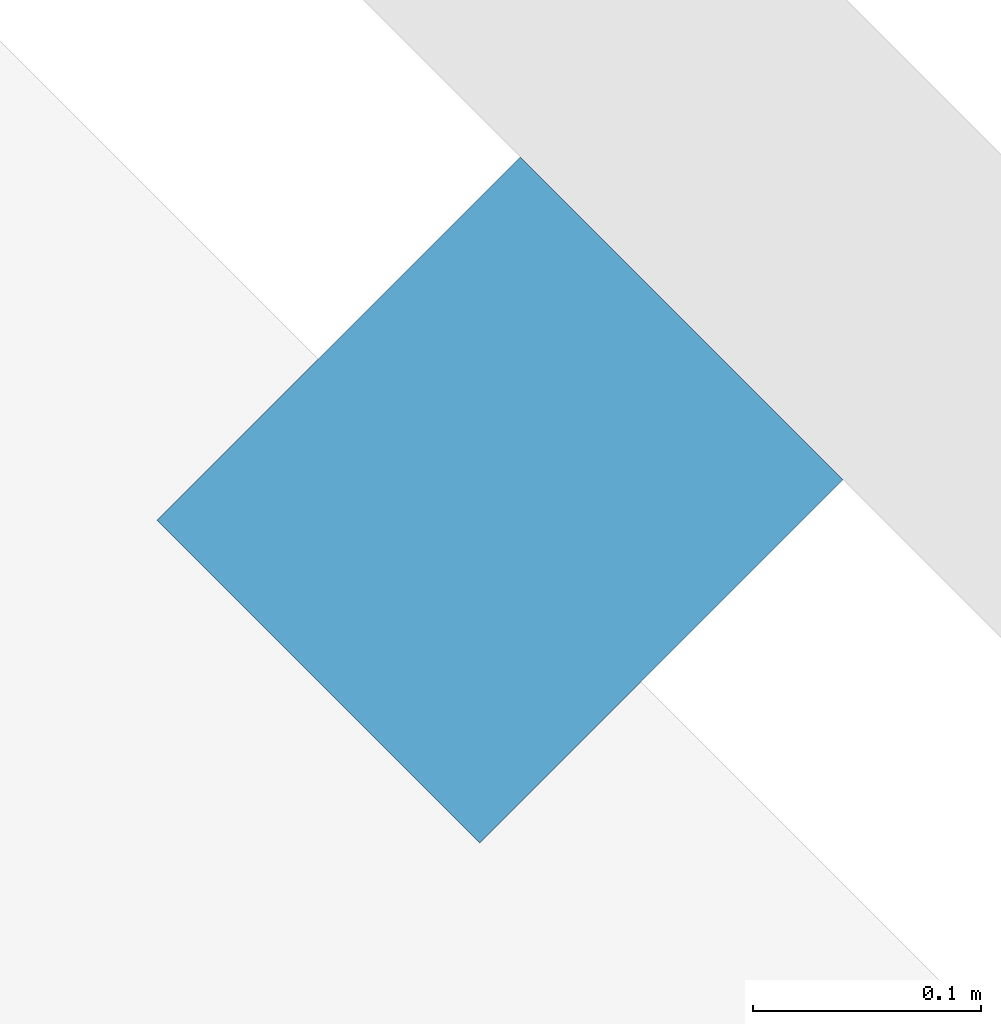
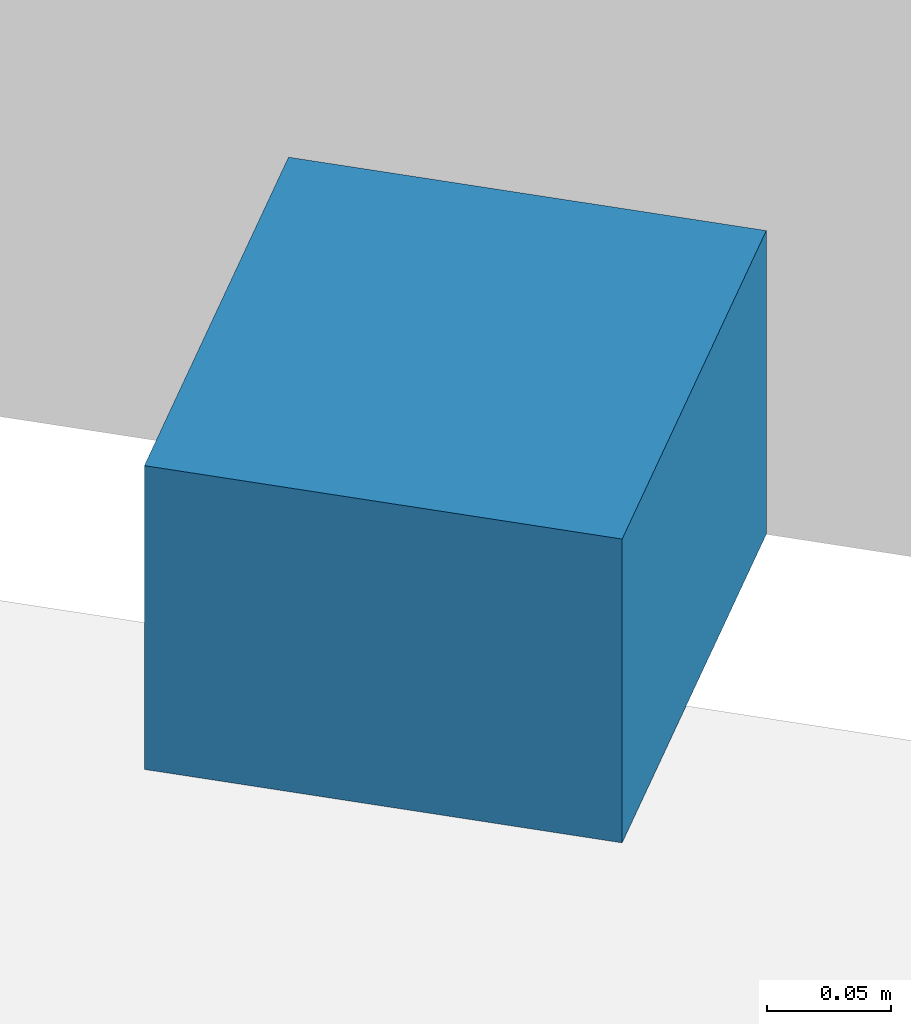
# One storey, part 7 of 10: 1 discrete accessory.
"""IFC4 building model written with IfcOpenShell, lengths in metres."""

import ifcopenshell
import ifcopenshell.guid

model = None  # the IFC model being written
_history = None  # IfcOwnerHistory: only IFC2X3 demands one
_inside = {}  # id of a spatial element -> (the spatial element, [elements in it])
_under = {}  # id of a project, library or spatial element -> (it, [spatial elements below it])
_declared = {}  # id of a project -> (the project, [libraries it declares])
_typed = {}  # id of a type object -> (the type object, [elements of that type])
_made_of = {}  # id of a material, layer set ... -> (it, [elements and type objects made of it])


def new_model(schema):
    """Start an empty IFC model of exactly this schema.

    Asked for "IFC4X3", IfcOpenShell would pick the latest addendum, in which some entities
    have other attributes; the version numbers below select the first issue.
    IFC2X3 requires an IfcOwnerHistory on every rooted entity: one is made here for all.
    """
    global model, _history
    if schema == "IFC4X3":
        model = ifcopenshell.file(schema_version=(4, 3, 0, 0))
    else:
        model = ifcopenshell.file(schema=schema)
    _inside.clear()
    _under.clear()
    _declared.clear()
    _typed.clear()
    _made_of.clear()
    _history = None
    if model.schema == "IFC2X3":
        org = make("IfcOrganization", Name="unknown")
        user = make(
            "IfcPersonAndOrganization",
            ThePerson=make("IfcPerson", FamilyName="unknown"),
            TheOrganization=org,
        )
        app = make(
            "IfcApplication",
            ApplicationDeveloper=org,
            Version="unknown",
            ApplicationFullName="unknown",
            ApplicationIdentifier="unknown",
        )
        _history = make(
            "IfcOwnerHistory",
            OwningUser=user,
            OwningApplication=app,
            ChangeAction="ADDED",
            CreationDate=0,
        )
    return model


def make(cls, **values):
    """One entity of the class cls with the attributes given. An attribute that is None is left unset."""
    return model.create_entity(
        cls, **{name: value for name, value in values.items() if value is not None}
    )


def rooted(cls, **values):
    """An entity with a GlobalId (a new one), such as an element, a storey or a relation."""
    return make(cls, GlobalId=ifcopenshell.guid.new(), OwnerHistory=_history, **values)


def si_unit(unit_type, name, prefix=None):
    """IfcSIUnit, for example si_unit("LENGTHUNIT", "METRE", prefix="MILLI")."""
    return make("IfcSIUnit", UnitType=unit_type, Prefix=prefix, Name=name)


def assignment(units):
    """IfcUnitAssignment: the units of a project."""
    return None if units is None else make("IfcUnitAssignment", Units=units)


def point(xyz):
    """IfcCartesianPoint."""
    return None if xyz is None else make("IfcCartesianPoint", Coordinates=xyz)


def direction(xyz):
    """IfcDirection."""
    return None if xyz is None else make("IfcDirection", DirectionRatios=xyz)


def frame(location, z_axis=None, x_axis=None):
    """IfcAxis2Placement3D, a coordinate frame: its origin and axes. An axis left out is left unset."""
    return make(
        "IfcAxis2Placement3D",
        Location=point(location),
        Axis=direction(z_axis),
        RefDirection=direction(x_axis),
    )


def frame_2d(location, x_axis=None):
    """IfcAxis2Placement2D, a coordinate frame in the plane: its origin and x axis."""
    return make(
        "IfcAxis2Placement2D", Location=point(location), RefDirection=direction(x_axis)
    )


def origin():
    """The frame at (0, 0, 0) with its axes left unset."""
    return frame((0.0, 0.0, 0.0))


def origin_2d():
    """The frame at (0, 0) in the plane with its x axis left unset."""
    return frame_2d((0.0, 0.0))


def place(relative_to, where):
    """IfcLocalPlacement: puts the frame where relative to a parent placement (None: the world)."""
    return make(
        "IfcLocalPlacement", PlacementRelTo=relative_to, RelativePlacement=where
    )


def context(
    kind, dimensions, precision=None, world=None, true_north=None, identifier=None
):
    """IfcGeometricRepresentationContext, for example the 3D "Model" context."""
    return make(
        "IfcGeometricRepresentationContext",
        ContextIdentifier=identifier,
        ContextType=kind,
        CoordinateSpaceDimension=dimensions,
        Precision=precision,
        WorldCoordinateSystem=world,
        TrueNorth=true_north,
    )


def subcontext(parent, identifier, kind, view, scale=None):
    """IfcGeometricRepresentationSubContext, for example "Body" below "Model"."""
    return make(
        "IfcGeometricRepresentationSubContext",
        ContextIdentifier=identifier,
        ContextType=kind,
        ParentContext=parent,
        TargetScale=scale,
        TargetView=view,
    )


def project(units=None, contexts=None):
    """IfcProject with its units and contexts."""
    return rooted(
        "IfcProject",
        Name="project",
        RepresentationContexts=contexts,
        UnitsInContext=assignment(units),
    )


def spatial(cls, under=None, at=None, **own):
    """A site, building, storey or space (cls), placed at a placement, below another one or the project."""
    s = rooted(cls, ObjectPlacement=at, **own)
    if under is not None:
        _under.setdefault(under.id(), (under, []))[1].append(s)
    return s


def profile(cls, at=None, kind="AREA", **sizes):
    """A parametric profile (cls). Its sizes go by their IFC names, for example OverallWidth=200.0."""
    return make(cls, ProfileType=kind, Position=at, **sizes)


def rectangle(**sizes):
    """IfcRectangleProfileDef."""
    return profile("IfcRectangleProfileDef", **sizes)


def extrude(swept, where, along, depth):
    """IfcExtrudedAreaSolid: the profile swept, set in the frame where, extruded along a direction by depth."""
    return make(
        "IfcExtrudedAreaSolid",
        SweptArea=swept,
        Position=where,
        ExtrudedDirection=direction(along),
        Depth=depth,
    )


def shape(context_of_items, identifier, shape_type, items):
    """IfcShapeRepresentation: the items that make up one representation, for example the "Body"."""
    return make(
        "IfcShapeRepresentation",
        ContextOfItems=context_of_items,
        RepresentationIdentifier=identifier,
        RepresentationType=shape_type,
        Items=items,
    )


def source(mapping_origin, context_of_items, identifier, shape_type, items):
    """IfcRepresentationMap: a shape defined once, which mapped items show again and again."""
    return make(
        "IfcRepresentationMap",
        MappingOrigin=mapping_origin,
        MappedRepresentation=shape(context_of_items, identifier, shape_type, items),
    )


def transform(
    local_origin,
    x_axis=None,
    y_axis=None,
    z_axis=None,
    scale=None,
    scale2=None,
    scale3=None,
    uniform=True,
):
    """IfcCartesianTransformationOperator3D, or its non-uniform kind. x_axis, y_axis, z_axis: its Axis1, 2, 3."""
    if uniform:
        return make(
            "IfcCartesianTransformationOperator3D",
            Axis1=direction(x_axis),
            Axis2=direction(y_axis),
            LocalOrigin=point(local_origin),
            Scale=scale,
            Axis3=direction(z_axis),
        )
    return make(
        "IfcCartesianTransformationOperator3DnonUniform",
        Axis1=direction(x_axis),
        Axis2=direction(y_axis),
        LocalOrigin=point(local_origin),
        Scale=scale,
        Axis3=direction(z_axis),
        Scale2=scale2,
        Scale3=scale3,
    )


def mapped(mapping_source, mapping_target):
    """IfcMappedItem: shows the shape of a source again, moved by a transform."""
    return make(
        "IfcMappedItem", MappingSource=mapping_source, MappingTarget=mapping_target
    )


def material(Name=None, Category=None):
    """IfcMaterial."""
    return make("IfcMaterial", Name=Name, Category=Category)


def made_of(thing, what):
    """Note that an element or type object is made of a material, layer set ...; save() writes the relation."""
    if what is not None:
        _made_of.setdefault(what.id(), (what, []))[1].append(thing)
    return thing


def type_object(cls, material=None, **own):
    """A type object (cls), such as IfcWallType, which elements share."""
    return made_of(rooted(cls, **own), material)


def type_shapes(of_type, sources):
    """Give a type object the sources (RepresentationMaps) that its elements show as mapped items."""
    of_type.RepresentationMaps = sources


def element(
    cls,
    number,
    at=None,
    inside=None,
    cuts=None,
    type_object=None,
    material=None,
    context=None,
    identifier="Body",
    shape_type=None,
    held_by="IfcProductDefinitionShape",
    body=None,
    shapes=None,
    **own,
):
    """One element of the class cls, such as IfcWall. Its Tag is "e" and its number.

    at: its placement. inside: the storey or other place that contains it. cuts: it is an
    opening in that element (IfcRelVoidsElement). A single representation is given by context,
    identifier, shape_type and body (its items); several are given by shapes. held_by: the class
    of the entity that holds the representations. save() writes the other relations.
    """
    e = rooted(cls, Tag="e%d" % number, ObjectPlacement=at, **own)
    if body is not None:
        shapes = [shape(context, identifier, shape_type, body)]
    if shapes is not None:
        e.Representation = make(held_by, Representations=shapes)
    if inside is not None:
        _inside.setdefault(inside.id(), (inside, []))[1].append(e)
    if cuts is not None:
        rooted(
            "IfcRelVoidsElement", RelatingBuildingElement=cuts, RelatedOpeningElement=e
        )
    if type_object is not None:
        _typed.setdefault(type_object.id(), (type_object, []))[1].append(e)
    return made_of(e, material)


def aggregate(whole, parts):
    """IfcRelAggregates: a whole, such as a stair, and the parts it consists of."""
    return rooted("IfcRelAggregates", RelatingObject=whole, RelatedObjects=parts)


def save(model, path):
    """Write the relations noted so far, then the file.

    IfcRelAggregates (storeys below a building ...), IfcRelContainedInSpatialStructure (elements
    in a storey), IfcRelDefinesByType, IfcRelAssociatesMaterial and IfcRelDeclares: one each for
    every whole, place, type object, material and project.
    """
    for whole, parts in _under.values():
        aggregate(whole, parts)
    for where, things in _inside.values():
        rooted(
            "IfcRelContainedInSpatialStructure",
            RelatedElements=things,
            RelatingStructure=where,
        )
    for kind, things in _typed.values():
        rooted("IfcRelDefinesByType", RelatedObjects=things, RelatingType=kind)
    for what, things in _made_of.values():
        rooted("IfcRelAssociatesMaterial", RelatedObjects=things, RelatingMaterial=what)
    for by, libraries in _declared.values():
        rooted("IfcRelDeclares", RelatingContext=by, RelatedDefinitions=libraries)
    model.write(path)


model = new_model("IFC4")

# Units and contexts
model_context = context("Model", 3, precision=1e-05, world=origin(), true_north=direction((0.0, 1.0)))
body_context = subcontext(model_context, "Body", "Model", "MODEL_VIEW")
ifc_project = project(units=[si_unit("LENGTHUNIT", "METRE"), si_unit("AREAUNIT", "SQUARE_METRE"), si_unit("VOLUMEUNIT", "CUBIC_METRE"), si_unit("PLANEANGLEUNIT", "RADIAN"), si_unit("MASSUNIT", "GRAM", prefix="KILO")], contexts=[model_context])

# Site, building, storey
site_placement = place(None, origin())
site = spatial("IfcSite", under=ifc_project, at=site_placement, CompositionType="ELEMENT")
building_placement = place(site_placement, origin())
building = spatial("IfcBuilding", under=site, at=building_placement, Name="Mashrafa Tower", CompositionType="ELEMENT")
storey_placement = place(building_placement, frame((0.0, 0.0, 193.5)))
storey = spatial("IfcBuildingStorey", under=building, at=storey_placement, Name="L44", CompositionType="ELEMENT", Elevation=193.5)

# Discrete accessory
ifc_material = material(Name="Galvanised steel louvre bracket", Category="steel")
discrete_accessory_type = type_object("IfcDiscreteAccessoryType", Name="Louvre support bracket 200 x 150", PredefinedType="BRACKET", material=ifc_material)
shared_shape = source(origin(), body_context, "Body", "SweptSolid", [
    extrude(rectangle(XDim=0.199951171875, YDim=0.22509765625, at=origin_2d()), origin(), (0.0, 0.0, 1.0), 0.14990234375),
])
type_shapes(discrete_accessory_type, [shared_shape])
discrete_accessory_placement = place(storey_placement, frame((10.87646484375, 20.736083984375, 0.0), z_axis=(0.0, 0.0, 1.0), x_axis=(-0.707106781187, 0.707106781187, 0.0)))
element("IfcDiscreteAccessory", 1, at=discrete_accessory_placement, inside=storey, type_object=discrete_accessory_type, Name="Louvre support bracket L44 north-east 4", PredefinedType="BRACKET", context=body_context, shape_type="MappedRepresentation", body=[
    mapped(shared_shape, transform((0.0, 0.0, 0.0))),
])

save(model, "model.ifc")
